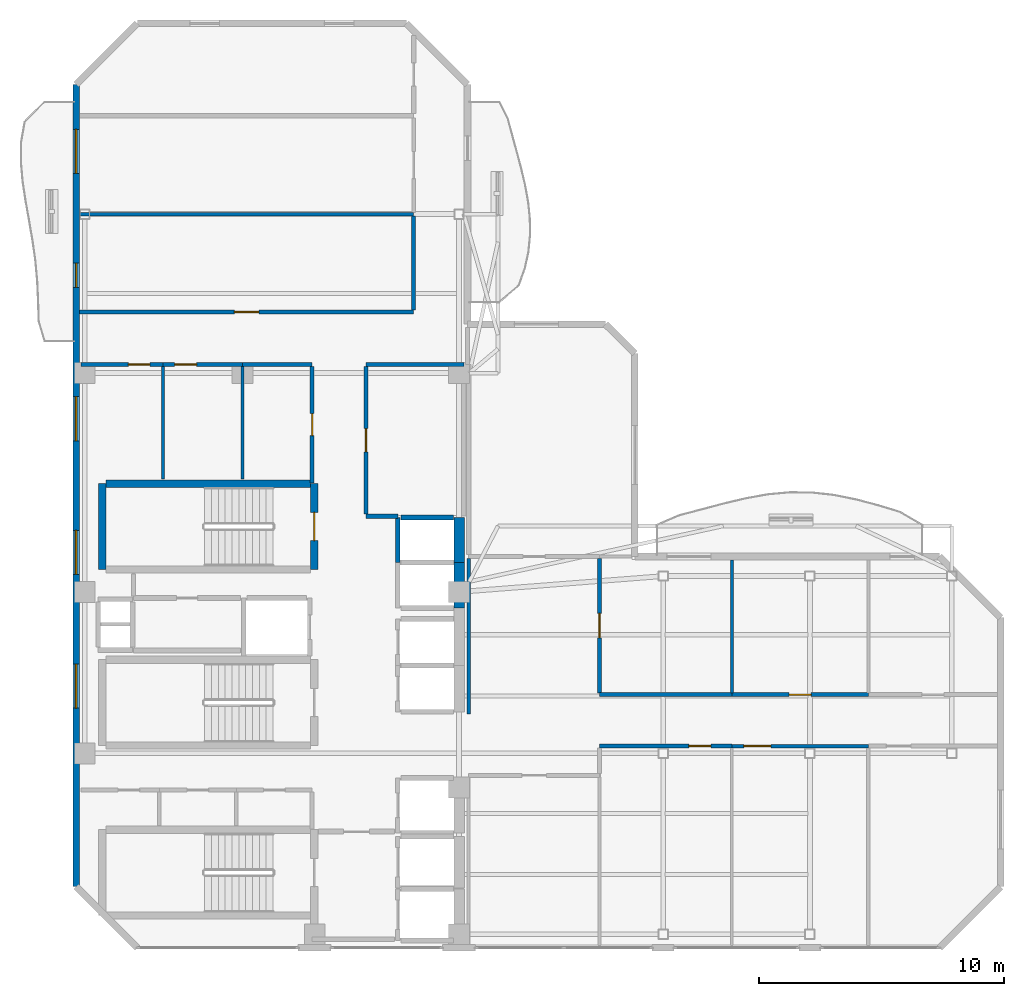
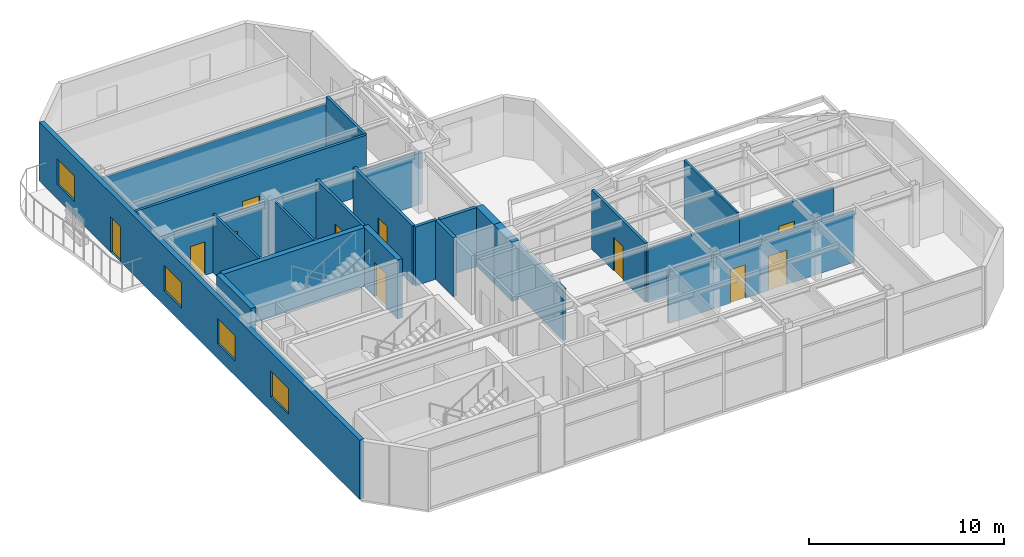
# One storey, part 10 of 14: 27 walls, 11 doors, 4 windows, 15 openings.
"""IFC4 building model written with IfcOpenShell, lengths in metres."""

from ifc_helpers import new_model, si_unit, direction, frame, frame_2d, origin, place, context, subcontext, project, spatial, rectangle, extrude, material, layer, layer_set, type_object, element, fill, save


model = new_model("IFC4")

# Units and contexts
model_context = context("Model", 3, precision=1e-05, world=origin(), true_north=direction((0.0, 1.0)))
body_context = subcontext(model_context, "Body", "Model", "MODEL_VIEW")
ifc_project = project(units=[si_unit("LENGTHUNIT", "METRE"), si_unit("AREAUNIT", "SQUARE_METRE"), si_unit("VOLUMEUNIT", "CUBIC_METRE"), si_unit("PLANEANGLEUNIT", "RADIAN"), si_unit("MASSUNIT", "GRAM", prefix="KILO")], contexts=[model_context])

# Site, building, storey
site_placement = place(None, origin())
site = spatial("IfcSite", under=ifc_project, at=site_placement, CompositionType="ELEMENT")
building_placement = place(site_placement, origin())
building = spatial("IfcBuilding", under=site, at=building_placement, Name="Mawjaban Terraces University", CompositionType="ELEMENT")
storey_placement = place(building_placement, frame((0.0, 0.0, 256.0)))
storey = spatial("IfcBuildingStorey", under=building, at=storey_placement, Name="L62", CompositionType="ELEMENT", Elevation=256.0)

# Walls
ifc_material_1 = material(Name="Acoustic masonry blockwork", Category="masonry")
ifc_layer_1 = layer(ifc_material_1, 0.179931640625)
ifc_layer_set_1 = layer_set([ifc_layer_1], Name="Acoustic masonry blockwork")
wall_type_1 = type_object("IfcWallType", Name="AcousticStudioWall_180", PredefinedType="PARTITIONING", material=ifc_layer_set_1)
wall_1_placement = place(storey_placement, frame((33.85009765625, 17.64990234375, 0.0), z_axis=(0.0, 0.0, 1.0), x_axis=(1.0, 0.0, 0.0)))
element("IfcWall", 1, at=wall_1_placement, inside=storey, type_object=wall_type_1, Name="L62 Graduate Research Collaboration Studio Partition 10", PredefinedType="PARTITIONING", context=body_context, shape_type="SweptSolid", body=[
    extrude(rectangle(XDim=1.2998046875, YDim=0.179931640625, at=frame_2d((0.64990234375, 0.0))), origin(), (0.0, 0.0, 1.0), 3.68994140625),
])
wall_2_placement = place(storey_placement, frame((37.85009765625, 23.85009765625, 0.0), z_axis=(0.0, 0.0, 1.0), x_axis=(-1.0, 0.0, 0.0)))
element("IfcWall", 2, at=wall_2_placement, inside=storey, type_object=wall_type_1, Name="L62 Graduate Research Collaboration Studio Partition 15", PredefinedType="PARTITIONING", context=body_context, shape_type="SweptSolid", body=[
    extrude(rectangle(XDim=4.0, YDim=0.179931640625, at=frame_2d((2.0, 0.0))), origin(), (0.0, 0.0, 1.0), 3.220947265625),
])

# Wall, opening, door
wall_3_placement = place(storey_placement, frame((33.85009765625, 17.735107421875, 0.0), z_axis=(0.0, 0.0, 1.0), x_axis=(0.0, 1.0, 0.0)))
wall_3 = element("IfcWall", 3, at=wall_3_placement, inside=storey, type_object=wall_type_1, Name="L62 Core North Lift Lobby Partition 32", PredefinedType="PARTITIONING", context=body_context, shape_type="SweptSolid", body=[
    extrude(rectangle(XDim=6.02978515625, YDim=0.179931640625, at=frame_2d((3.014892578125, 0.0))), origin(), (0.0, 0.0, 1.0), 3.68994140625),
])
opening_1_placement = place(wall_3_placement, frame((2.5400390625, 0.0, 0.0)))
opening_1 = element("IfcOpeningElement", 4, at=opening_1_placement, cuts=wall_3, Name="Opening ID-095", PredefinedType="OPENING", context=body_context, shape_type="SweptSolid", body=[
    extrude(rectangle(XDim=0.949951171875, YDim=2.10009765625, at=frame_2d((0.47509765625, 1.050048828125))), frame((0.0, 0.099853515625, 0.0), z_axis=(0.0, -1.0, 0.0), x_axis=(1.0, 0.0, 0.0)), (0.0, 0.0, 1.0), 0.199951171875),
])
ifc_material_2 = material(Name="Powder-coated steel frame and solid acoustic timber leaf", Category="steel")
door_type_1 = type_object("IfcDoorType", Name="StudioDoor_950x2100", OperationType="NOTDEFINED", PredefinedType="DOOR", material=ifc_material_2)
door_1_placement = place(opening_1_placement, origin())
door_1 = element("IfcDoor", 5, at=door_1_placement, inside=storey, type_object=door_type_1, Name="L62 Graduate Research Collaboration Studio Door", OperationType="SINGLE_SWING_RIGHT", OverallHeight=2.10009765625, OverallWidth=0.949951171875, PredefinedType="DOOR", context=body_context, shape_type="SweptSolid", body=[
    extrude(rectangle(XDim=0.949951171875, YDim=2.10009765625, at=frame_2d((0.47509765625, 1.050048828125))), frame((0.0, 0.02490234375, 0.0), z_axis=(0.0, -1.0, 0.0), x_axis=(1.0, 0.0, 0.0)), (0.0, 0.0, 1.0), 0.050048828125),
])
fill(opening_1, door_1)

# Walls
ifc_material_3 = material(Name="Concrete C50/60", Category="concrete")
ifc_layer_2 = layer(ifc_material_3, 0.419921875)
ifc_layer_set_2 = layer_set([ifc_layer_2], Name="Concrete C50/60")
wall_type_2 = type_object("IfcWallType", Name="CoreShearWall_420", PredefinedType="SHEAR", material=ifc_layer_set_2)
for number, where, z_axis, x_axis, name in (
    (6, (37.659912109375, 13.89990234375, 0.0), (0.0, 0.0, 1.0), (0.0, 1.0, 0.0), "L62 Lift OL-1 Hoistway Wall East"),
    (7, (37.659912109375, 15.75, 0.0), (0.0, 0.0, 1.0), (0.0, 1.0, 0.0), "L62 Lift OL-2 Hoistway Wall East"),
):
    element("IfcWall", number, at=place(storey_placement, frame(where, z_axis=z_axis, x_axis=x_axis)), inside=storey, type_object=wall_type_2, Name=name, PredefinedType="SHEAR", context=body_context, shape_type="SweptSolid", body=[
        extrude(rectangle(XDim=1.85009765625, YDim=0.419921875, at=frame_2d((0.925048828125, 0.0))), origin(), (0.0, 0.0, 1.0), 3.68994140625),
    ])

# Wall, opening, door
ifc_material_4 = material(Name="Fire-rated gypsum board on steel stud", Category="steel")
ifc_layer_3 = layer(ifc_material_4, 0.159912109375)
ifc_layer_set_3 = layer_set([ifc_layer_3], Name="Fire-rated gypsum board on steel stud")
wall_type_3 = type_object("IfcWallType", Name="CorridorPartition_160", PredefinedType="PARTITIONING", material=ifc_layer_set_3)
wall_4_placement = place(storey_placement, frame((25.550048828125, 23.85009765625, 0.0), z_axis=(0.0, 0.0, 1.0), x_axis=(-1.0, 0.0, 0.0)))
wall_4 = element("IfcWall", 8, at=wall_4_placement, inside=storey, type_object=wall_type_3, Name="L62 Ablution Room Partition 5", PredefinedType="PARTITIONING", context=body_context, shape_type="SweptSolid", body=[
    extrude(rectangle(XDim=3.35009765625, YDim=0.159912109375, at=frame_2d((1.675048828125, 0.0))), origin(), (0.0, 0.0, 1.0), 3.220947265625),
])
opening_2_placement = place(wall_4_placement, frame((0.534912109375, 0.0, 0.0)))
opening_2 = element("IfcOpeningElement", 9, at=opening_2_placement, cuts=wall_4, Name="Opening ID-088", PredefinedType="OPENING", context=body_context, shape_type="SweptSolid", body=[
    extrude(rectangle(XDim=0.8798828125, YDim=2.10009765625, at=frame_2d((0.43994140625, 1.050048828125))), frame((0.0, 0.08984375, 0.0), z_axis=(0.0, -1.0, 0.0), x_axis=(1.0, 0.0, 0.0)), (0.0, 0.0, 1.0), 0.179931640625),
])
door_type_2 = type_object("IfcDoorType", Name="ToiletDoor_880x2100", OperationType="NOTDEFINED", PredefinedType="DOOR", material=ifc_material_2)
door_2_placement = place(opening_2_placement, origin())
door_2 = element("IfcDoor", 10, at=door_2_placement, inside=storey, type_object=door_type_2, Name="L62 Ablution Room Door", OperationType="SINGLE_SWING_RIGHT", OverallHeight=2.10009765625, OverallWidth=0.8798828125, PredefinedType="DOOR", context=body_context, shape_type="SweptSolid", body=[
    extrude(rectangle(XDim=0.8798828125, YDim=2.10009765625, at=frame_2d((0.43994140625, 1.050048828125))), frame((0.0, 0.02490234375, 0.0), z_axis=(0.0, -1.0, 0.0), x_axis=(1.0, 0.0, 0.0)), (0.0, 0.0, 1.0), 0.050048828125),
])
fill(opening_2, door_2)

wall_5_placement = place(storey_placement, frame((28.800048828125, 23.85009765625, 0.0), z_axis=(0.0, 0.0, 1.0), x_axis=(-1.0, 0.0, 0.0)))
wall_5 = element("IfcWall", 11, at=wall_5_placement, inside=storey, type_object=wall_type_3, Name="L62 Cleaner Store Partition 7", PredefinedType="PARTITIONING", context=body_context, shape_type="SweptSolid", body=[
    extrude(rectangle(XDim=3.25, YDim=0.159912109375, at=frame_2d((1.625, 0.0))), origin(), (0.0, 0.0, 1.0), 3.220947265625),
])
opening_3_placement = place(wall_5_placement, frame((1.875, 0.0, 0.0)))
opening_3 = element("IfcOpeningElement", 12, at=opening_3_placement, cuts=wall_5, Name="Opening ID-090", PredefinedType="OPENING", context=body_context, shape_type="SweptSolid", body=[
    extrude(rectangle(XDim=0.89990234375, YDim=2.10009765625, at=frame_2d((0.449951171875, 1.050048828125))), frame((0.0, 0.08984375, 0.0), z_axis=(0.0, -1.0, 0.0), x_axis=(1.0, 0.0, 0.0)), (0.0, 0.0, 1.0), 0.179931640625),
])
door_type_3 = type_object("IfcDoorType", Name="OfficeDoor_900x2100", OperationType="NOTDEFINED", PredefinedType="DOOR", material=ifc_material_2)
door_3_placement = place(opening_3_placement, origin())
door_3 = element("IfcDoor", 13, at=door_3_placement, inside=storey, type_object=door_type_3, Name="L62 Cleaner Store Door", OperationType="SINGLE_SWING_LEFT", OverallHeight=2.10009765625, OverallWidth=0.89990234375, PredefinedType="DOOR", context=body_context, shape_type="SweptSolid", body=[
    extrude(rectangle(XDim=0.89990234375, YDim=2.10009765625, at=frame_2d((0.449951171875, 1.050048828125))), frame((0.0, 0.02490234375, 0.0), z_axis=(0.0, -1.0, 0.0), x_axis=(1.0, 0.0, 0.0)), (0.0, 0.0, 1.0), 0.050048828125),
])
fill(opening_3, door_3)

# Wall
wall_6_placement = place(storey_placement, frame((31.64990234375, 23.85009765625, 0.0), z_axis=(0.0, 0.0, 1.0), x_axis=(-1.0, 0.0, 0.0)))
element("IfcWall", 14, at=wall_6_placement, inside=storey, type_object=wall_type_3, Name="L62 Faculty Academic Resource Office Partition 9", PredefinedType="PARTITIONING", context=body_context, shape_type="SweptSolid", body=[
    extrude(rectangle(XDim=2.849853515625, YDim=0.159912109375, at=frame_2d((1.4248046875, 0.0))), origin(), (0.0, 0.0, 1.0), 3.220947265625),
])

# Wall, opening, door
wall_7_placement = place(storey_placement, frame((35.800048828125, 26.0, 0.0), z_axis=(0.0, 0.0, 1.0), x_axis=(-1.0, 0.0, 0.0)))
wall_7 = element("IfcWall", 15, at=wall_7_placement, inside=storey, type_object=wall_type_3, Name="L62 North Core Cross-Corridor Partition 12", PredefinedType="PARTITIONING", context=body_context, shape_type="SweptSolid", body=[
    extrude(rectangle(XDim=13.6669921875, YDim=0.159912109375, at=frame_2d((6.83349609375, 0.0))), origin(), (0.0, 0.0, 1.0), 3.68994140625),
])
opening_4_placement = place(wall_7_placement, frame((6.3330078125, 0.0, 0.0)))
opening_4 = element("IfcOpeningElement", 16, at=opening_4_placement, cuts=wall_7, Name="Opening ID-100", PredefinedType="OPENING", context=body_context, shape_type="SweptSolid", body=[
    extrude(rectangle(XDim=1.0, YDim=2.10009765625, at=frame_2d((0.5, 1.050048828125))), frame((0.0, 0.08984375, 0.0), z_axis=(0.0, -1.0, 0.0), x_axis=(1.0, 0.0, 0.0)), (0.0, 0.0, 1.0), 0.179931640625),
])
door_type_4 = type_object("IfcDoorType", Name="ClassroomDoor_1000x2100", OperationType="NOTDEFINED", PredefinedType="DOOR", material=ifc_material_2)
door_4_placement = place(opening_4_placement, origin())
door_4 = element("IfcDoor", 17, at=door_4_placement, inside=storey, type_object=door_type_4, Name="L62 Classroom 8 Door", OperationType="SINGLE_SWING_LEFT", OverallHeight=2.10009765625, OverallWidth=1.0, PredefinedType="DOOR", context=body_context, shape_type="SweptSolid", body=[
    extrude(rectangle(XDim=1.0, YDim=2.10009765625, at=frame_2d((0.5, 1.050048828125))), frame((0.0, 0.02490234375, 0.0), z_axis=(0.0, -1.0, 0.0), x_axis=(1.0, 0.0, 0.0)), (0.0, 0.0, 1.0), 0.050048828125),
])
fill(opening_4, door_4)

wall_8_placement = place(storey_placement, frame((43.39990234375, 8.25, 0.0), z_axis=(0.0, 0.0, 1.0), x_axis=(1.0, 0.0, 0.0)))
wall_8 = element("IfcWall", 18, at=wall_8_placement, inside=storey, type_object=wall_type_3, Name="L62 Upper East Research Corridor Partition 17", PredefinedType="PARTITIONING", context=body_context, shape_type="SweptSolid", body=[
    extrude(rectangle(XDim=5.41015625, YDim=0.159912109375, at=frame_2d((2.705078125, 0.0))), origin(), (0.0, 0.0, 1.0), 3.220947265625),
])
opening_5_placement = place(wall_8_placement, frame((3.655029296875, 0.0, 0.0)))
opening_5 = element("IfcOpeningElement", 19, at=opening_5_placement, cuts=wall_8, Name="Opening ID-090", PredefinedType="OPENING", context=body_context, shape_type="SweptSolid", body=[
    extrude(rectangle(XDim=0.89990234375, YDim=2.10009765625, at=frame_2d((0.449951171875, 1.050048828125))), frame((0.0, 0.08984375, 0.0), z_axis=(0.0, -1.0, 0.0), x_axis=(1.0, 0.0, 0.0)), (0.0, 0.0, 1.0), 0.179931640625),
])
door_5_placement = place(opening_5_placement, origin())
door_5 = element("IfcDoor", 20, at=door_5_placement, inside=storey, type_object=door_type_3, Name="L62 Seminar Room 2 Door", OperationType="SINGLE_SWING_LEFT", OverallHeight=2.10009765625, OverallWidth=0.89990234375, PredefinedType="DOOR", context=body_context, shape_type="SweptSolid", body=[
    extrude(rectangle(XDim=0.89990234375, YDim=2.10009765625, at=frame_2d((0.449951171875, 1.050048828125))), frame((0.0, 0.02490234375, 0.0), z_axis=(0.0, -1.0, 0.0), x_axis=(1.0, 0.0, 0.0)), (0.0, 0.0, 1.0), 0.050048828125),
])
fill(opening_5, door_5)

# Wall
wall_9_placement = place(storey_placement, frame((48.81005859375, 10.35009765625, 0.0), z_axis=(0.0, 0.0, 1.0), x_axis=(-1.0, 0.0, 0.0)))
element("IfcWall", 21, at=wall_9_placement, inside=storey, type_object=wall_type_3, Name="L62 Upper East Research Corridor Partition 21", PredefinedType="PARTITIONING", context=body_context, shape_type="SweptSolid", body=[
    extrude(rectangle(XDim=5.41015625, YDim=0.159912109375, at=frame_2d((2.705078125, 0.0))), origin(), (0.0, 0.0, 1.0), 3.3720703125),
])

# Wall, opening, door
wall_10_placement = place(storey_placement, frame((54.389892578125, 10.35009765625, 0.0), z_axis=(0.0, 0.0, 1.0), x_axis=(-1.0, 0.0, 0.0)))
wall_10 = element("IfcWall", 22, at=wall_10_placement, inside=storey, type_object=wall_type_3, Name="L62 Upper East Research Corridor Partition 23", PredefinedType="PARTITIONING", context=body_context, shape_type="SweptSolid", body=[
    extrude(rectangle(XDim=5.579833984375, YDim=0.159912109375, at=frame_2d((2.7900390625, 0.0))), origin(), (0.0, 0.0, 1.0), 3.3720703125),
])
opening_6_placement = place(wall_10_placement, frame((2.340087890625, 0.0, 0.0)))
opening_6 = element("IfcOpeningElement", 23, at=opening_6_placement, cuts=wall_10, Name="Opening ID-090", PredefinedType="OPENING", context=body_context, shape_type="SweptSolid", body=[
    extrude(rectangle(XDim=0.89990234375, YDim=2.10009765625, at=frame_2d((0.449951171875, 1.050048828125))), frame((0.0, 0.08984375, 0.0), z_axis=(0.0, -1.0, 0.0), x_axis=(1.0, 0.0, 0.0)), (0.0, 0.0, 1.0), 0.179931640625),
])
door_6_placement = place(opening_6_placement, origin())
door_6 = element("IfcDoor", 24, at=door_6_placement, inside=storey, type_object=door_type_3, Name="L62 Seminar Room 5 Door", OperationType="SINGLE_SWING_RIGHT", OverallHeight=2.10009765625, OverallWidth=0.89990234375, PredefinedType="DOOR", context=body_context, shape_type="SweptSolid", body=[
    extrude(rectangle(XDim=0.89990234375, YDim=2.10009765625, at=frame_2d((0.449951171875, 1.050048828125))), frame((0.0, 0.02490234375, 0.0), z_axis=(0.0, -1.0, 0.0), x_axis=(1.0, 0.0, 0.0)), (0.0, 0.0, 1.0), 0.050048828125),
])
fill(opening_6, door_6)

wall_11_placement = place(storey_placement, frame((31.64990234375, 19.010009765625, 0.0), z_axis=(0.0, 0.0, 1.0), x_axis=(0.0, 1.0, 0.0)))
wall_11 = element("IfcWall", 25, at=wall_11_placement, inside=storey, type_object=wall_type_3, Name="L62 Faculty Academic Resource Office Partition 31", PredefinedType="PARTITIONING", context=body_context, shape_type="SweptSolid", body=[
    extrude(rectangle(XDim=4.764892578125, YDim=0.159912109375, at=frame_2d((2.38232421875, 0.0))), origin(), (0.0, 0.0, 1.0), 3.68994140625),
])
opening_7_placement = place(wall_11_placement, frame((1.931884765625, 0.0, 0.0)))
opening_7 = element("IfcOpeningElement", 26, at=opening_7_placement, cuts=wall_11, Name="Opening ID-090", PredefinedType="OPENING", context=body_context, shape_type="SweptSolid", body=[
    extrude(rectangle(XDim=0.89990234375, YDim=2.10009765625, at=frame_2d((0.449951171875, 1.050048828125))), frame((0.0, 0.08984375, 0.0), z_axis=(0.0, -1.0, 0.0), x_axis=(1.0, 0.0, 0.0)), (0.0, 0.0, 1.0), 0.179931640625),
])
door_7_placement = place(opening_7_placement, origin())
door_7 = element("IfcDoor", 27, at=door_7_placement, inside=storey, type_object=door_type_3, Name="L62 Faculty Academic Resource Office Door", OperationType="SINGLE_SWING_LEFT", OverallHeight=2.10009765625, OverallWidth=0.89990234375, PredefinedType="DOOR", context=body_context, shape_type="SweptSolid", body=[
    extrude(rectangle(XDim=0.89990234375, YDim=2.10009765625, at=frame_2d((0.449951171875, 1.050048828125))), frame((0.0, 0.02490234375, 0.0), z_axis=(0.0, -1.0, 0.0), x_axis=(1.0, 0.0, 0.0)), (0.0, 0.0, 1.0), 0.050048828125),
])
fill(opening_7, door_7)

# Walls
wall_12_placement = place(storey_placement, frame((35.800048828125, 29.93310546875, 0.0), z_axis=(0.0, 0.0, 1.0), x_axis=(0.0, -1.0, 0.0)))
element("IfcWall", 28, at=wall_12_placement, inside=storey, type_object=wall_type_3, Name="L62 Upper North Research Gallery Partition 33", PredefinedType="PARTITIONING", context=body_context, shape_type="SweptSolid", body=[
    extrude(rectangle(XDim=3.858154296875, YDim=0.159912109375, at=frame_2d((1.92919921875, 0.0))), origin(), (0.0, 0.0, 1.0), 3.68994140625),
])
wall_13_placement = place(storey_placement, frame((38.050048828125, 15.925048828125, 0.0), z_axis=(0.0, 0.0, 1.0), x_axis=(0.0, -1.0, 0.0)))
element("IfcWall", 29, at=wall_13_placement, inside=storey, type_object=wall_type_3, Name="L62 Upper Research Hub Concourse Partition 39", PredefinedType="PARTITIONING", context=body_context, shape_type="SweptSolid", body=[
    extrude(rectangle(XDim=6.375, YDim=0.159912109375, at=frame_2d((3.1875, 0.0))), origin(), (0.0, 0.0, 1.0), 3.220947265625),
])

# Wall, opening, door
wall_14_placement = place(storey_placement, frame((43.39990234375, 10.425048828125, 0.0), z_axis=(0.0, 0.0, 1.0), x_axis=(0.0, 1.0, 0.0)))
wall_14 = element("IfcWall", 30, at=wall_14_placement, inside=storey, type_object=wall_type_3, Name="L62 Upper Research Hub Concourse Partition 43", PredefinedType="PARTITIONING", context=body_context, shape_type="SweptSolid", body=[
    extrude(rectangle(XDim=5.5, YDim=0.159912109375, at=frame_2d((2.75, 0.0))), origin(), (0.0, 0.0, 1.0), 3.68994140625),
])
opening_8_placement = place(wall_14_placement, frame((2.25, 0.0, 0.0)))
opening_8 = element("IfcOpeningElement", 31, at=opening_8_placement, cuts=wall_14, Name="Opening ID-100", PredefinedType="OPENING", context=body_context, shape_type="SweptSolid", body=[
    extrude(rectangle(XDim=1.0, YDim=2.10009765625, at=frame_2d((0.5, 1.050048828125))), frame((0.0, 0.08984375, 0.0), z_axis=(0.0, -1.0, 0.0), x_axis=(1.0, 0.0, 0.0)), (0.0, 0.0, 1.0), 0.179931640625),
])
door_8_placement = place(opening_8_placement, origin())
door_8 = element("IfcDoor", 32, at=door_8_placement, inside=storey, type_object=door_type_4, Name="L62 Classroom 3 Door", OperationType="SINGLE_SWING_RIGHT", OverallHeight=2.10009765625, OverallWidth=1.0, PredefinedType="DOOR", context=body_context, shape_type="SweptSolid", body=[
    extrude(rectangle(XDim=1.0, YDim=2.10009765625, at=frame_2d((0.5, 1.050048828125))), frame((0.0, 0.02490234375, 0.0), z_axis=(0.0, -1.0, 0.0), x_axis=(1.0, 0.0, 0.0)), (0.0, 0.0, 1.0), 0.050048828125),
])
fill(opening_8, door_8)

# Wall, openings, door, windows
ifc_material_5 = material(Name="Insulated terracotta rainscreen on concrete backup C40/50", Category="masonry")
ifc_layer_4 = layer(ifc_material_5, 0.27490234375)
ifc_layer_set_4 = layer_set([ifc_layer_4], Name="Insulated terracotta rainscreen on concrete backup C40/50")
wall_type_4 = type_object("IfcWallType", Name="ExtTerracottaWall_275", PredefinedType="SOLIDWALL", material=ifc_layer_set_4)
wall_15_placement = place(storey_placement, frame((22.0, 35.300048828125, 0.0), z_axis=(0.0, 0.0, 1.0), x_axis=(0.0, -1.0, 0.0)))
wall_15 = element("IfcWall", 33, at=wall_15_placement, inside=storey, type_object=wall_type_4, Name="L62 Exterior Terracotta Wall 13", PredefinedType="SOLIDWALL", context=body_context, shape_type="SweptSolid", body=[
    extrude(rectangle(XDim=32.800048828125, YDim=0.27490234375, at=frame_2d((16.39990234375, 0.0))), origin(), (0.0, 0.0, 1.0), 3.68994140625),
])
opening_9_placement = place(wall_15_placement, frame((7.300048828125, 0.0, 0.0)))
opening_9 = element("IfcOpeningElement", 34, at=opening_9_placement, cuts=wall_15, Name="Opening BD-100", PredefinedType="OPENING", context=body_context, shape_type="SweptSolid", body=[
    extrude(rectangle(XDim=1.0, YDim=2.199951171875, at=frame_2d((0.5, 1.10009765625))), frame((0.0, 0.1474609375, 0.0), z_axis=(0.0, -1.0, 0.0), x_axis=(1.0, 0.0, 0.0)), (0.0, 0.0, 1.0), 0.294921875),
])
opening_10_placement = place(wall_15_placement, frame((1.8330078125, 0.0, 0.89990234375)))
opening_10 = element("IfcOpeningElement", 35, at=opening_10_placement, cuts=wall_15, Name="Opening W-03", PredefinedType="OPENING", context=body_context, shape_type="SweptSolid", body=[
    extrude(rectangle(XDim=1.800048828125, YDim=1.60009765625, at=frame_2d((0.89990234375, 0.800048828125))), frame((0.0, 0.1474609375, 0.0), z_axis=(0.0, -1.0, 0.0), x_axis=(1.0, 0.0, 0.0)), (0.0, 0.0, 1.0), 0.294921875),
])
opening_11_placement = place(wall_15_placement, frame((12.76708984375, 0.0, 0.89990234375)))
opening_11 = element("IfcOpeningElement", 36, at=opening_11_placement, cuts=wall_15, Name="Opening W-03", PredefinedType="OPENING", context=body_context, shape_type="SweptSolid", body=[
    extrude(rectangle(XDim=1.800048828125, YDim=1.60009765625, at=frame_2d((0.89990234375, 0.800048828125))), frame((0.0, 0.1474609375, 0.0), z_axis=(0.0, -1.0, 0.0), x_axis=(1.0, 0.0, 0.0)), (0.0, 0.0, 1.0), 0.294921875),
])
opening_12_placement = place(wall_15_placement, frame((18.23291015625, 0.0, 0.89990234375)))
opening_12 = element("IfcOpeningElement", 37, at=opening_12_placement, cuts=wall_15, Name="Opening W-03", PredefinedType="OPENING", context=body_context, shape_type="SweptSolid", body=[
    extrude(rectangle(XDim=1.800048828125, YDim=1.60009765625, at=frame_2d((0.89990234375, 0.800048828125))), frame((0.0, 0.1474609375, 0.0), z_axis=(0.0, -1.0, 0.0), x_axis=(1.0, 0.0, 0.0)), (0.0, 0.0, 1.0), 0.294921875),
])
opening_13_placement = place(wall_15_placement, frame((23.699951171875, 0.0, 0.89990234375)))
opening_13 = element("IfcOpeningElement", 38, at=opening_13_placement, cuts=wall_15, Name="Opening W-03", PredefinedType="OPENING", context=body_context, shape_type="SweptSolid", body=[
    extrude(rectangle(XDim=1.800048828125, YDim=1.60009765625, at=frame_2d((0.89990234375, 0.800048828125))), frame((0.0, 0.1474609375, 0.0), z_axis=(0.0, -1.0, 0.0), x_axis=(1.0, 0.0, 0.0)), (0.0, 0.0, 1.0), 0.294921875),
])
ifc_material_6 = material(Name="Thermally broken anodised aluminium and laminated safety glass", Category="aluminium")
door_type_5 = type_object("IfcDoorType", Name="BalconyGlazedDoor_1000x2200", OperationType="NOTDEFINED", PredefinedType="DOOR", material=ifc_material_6)
door_9_placement = place(opening_9_placement, origin())
door_9 = element("IfcDoor", 39, at=door_9_placement, inside=storey, type_object=door_type_5, Name="L62 Balcony Access Door west", OperationType="SINGLE_SWING_LEFT", OverallHeight=2.199951171875, OverallWidth=1.0, PredefinedType="DOOR", context=body_context, shape_type="SweptSolid", body=[
    extrude(rectangle(XDim=1.0, YDim=2.199951171875, at=frame_2d((0.5, 1.10009765625))), frame((0.0, 0.02490234375, 0.0), z_axis=(0.0, -1.0, 0.0), x_axis=(1.0, 0.0, 0.0)), (0.0, 0.0, 1.0), 0.050048828125),
])
fill(opening_9, door_9)
ifc_material_7 = material(Name="Low-E solar-control double glazing in thermally broken aluminium frame", Category="aluminium")
window_type = type_object("IfcWindowType", Name="Win_1800x1600", PartitioningType="SINGLE_PANEL", PredefinedType="WINDOW", material=ifc_material_7)
window_1_placement = place(opening_10_placement, origin())
window_1 = element("IfcWindow", 40, at=window_1_placement, inside=storey, type_object=window_type, Name="L62 Facade Window 13.1", OverallHeight=1.60009765625, OverallWidth=1.800048828125, PartitioningType="SINGLE_PANEL", PredefinedType="WINDOW", context=body_context, shape_type="SweptSolid", body=[
    extrude(rectangle(XDim=1.800048828125, YDim=1.60009765625, at=frame_2d((0.89990234375, 0.800048828125))), frame((0.0, 0.030029296875, 0.0), z_axis=(0.0, -1.0, 0.0), x_axis=(1.0, 0.0, 0.0)), (0.0, 0.0, 1.0), 0.06005859375),
])
fill(opening_10, window_1)
window_2_placement = place(opening_11_placement, origin())
window_2 = element("IfcWindow", 41, at=window_2_placement, inside=storey, type_object=window_type, Name="L62 Facade Window 13.3", OverallHeight=1.60009765625, OverallWidth=1.800048828125, PartitioningType="SINGLE_PANEL", PredefinedType="WINDOW", context=body_context, shape_type="SweptSolid", body=[
    extrude(rectangle(XDim=1.800048828125, YDim=1.60009765625, at=frame_2d((0.89990234375, 0.800048828125))), frame((0.0, 0.030029296875, 0.0), z_axis=(0.0, -1.0, 0.0), x_axis=(1.0, 0.0, 0.0)), (0.0, 0.0, 1.0), 0.06005859375),
])
fill(opening_11, window_2)
window_3_placement = place(opening_12_placement, origin())
window_3 = element("IfcWindow", 42, at=window_3_placement, inside=storey, type_object=window_type, Name="L62 Facade Window 13.4", OverallHeight=1.60009765625, OverallWidth=1.800048828125, PartitioningType="SINGLE_PANEL", PredefinedType="WINDOW", context=body_context, shape_type="SweptSolid", body=[
    extrude(rectangle(XDim=1.800048828125, YDim=1.60009765625, at=frame_2d((0.89990234375, 0.800048828125))), frame((0.0, 0.030029296875, 0.0), z_axis=(0.0, -1.0, 0.0), x_axis=(1.0, 0.0, 0.0)), (0.0, 0.0, 1.0), 0.06005859375),
])
fill(opening_12, window_3)
window_4_placement = place(opening_13_placement, origin())
window_4 = element("IfcWindow", 43, at=window_4_placement, inside=storey, type_object=window_type, Name="L62 Facade Window 13.5", OverallHeight=1.60009765625, OverallWidth=1.800048828125, PartitioningType="SINGLE_PANEL", PredefinedType="WINDOW", context=body_context, shape_type="SweptSolid", body=[
    extrude(rectangle(XDim=1.800048828125, YDim=1.60009765625, at=frame_2d((0.89990234375, 0.800048828125))), frame((0.0, 0.030029296875, 0.0), z_axis=(0.0, -1.0, 0.0), x_axis=(1.0, 0.0, 0.0)), (0.0, 0.0, 1.0), 0.06005859375),
])
fill(opening_13, window_4)

# Walls
ifc_material_8 = material(Name="Concrete C40/50", Category="concrete")
ifc_layer_5 = layer(ifc_material_8, 0.199951171875)
ifc_layer_set_5 = layer_set([ifc_layer_5], Name="Concrete C40/50")
wall_type_5 = type_object("IfcWallType", Name="FireLobbyWall_200", PredefinedType="SOLIDWALL", material=ifc_layer_set_5)
wall_16_placement = place(storey_placement, frame((35.14990234375, 17.60009765625, 0.0), z_axis=(0.0, 0.0, 1.0), x_axis=(0.0, -1.0, 0.0)))
element("IfcWall", 44, at=wall_16_placement, inside=storey, type_object=wall_type_5, Name="L62 Lift OL-2 Hoistway Wall West", PredefinedType="SOLIDWALL", context=body_context, shape_type="SweptSolid", body=[
    extrude(rectangle(XDim=1.85009765625, YDim=0.199951171875, at=frame_2d((0.925048828125, 0.0))), origin(), (0.0, 0.0, 1.0), 3.68994140625),
])
wall_17_placement = place(storey_placement, frame((37.419921875, 17.60009765625, 0.0), z_axis=(0.0, 0.0, 1.0), x_axis=(-1.0, 0.0, 0.0)))
element("IfcWall", 45, at=wall_17_placement, inside=storey, type_object=wall_type_5, Name="L62 Lift OL-2 Hoistway Wall North", PredefinedType="SOLIDWALL", context=body_context, shape_type="SweptSolid", body=[
    extrude(rectangle(XDim=2.139892578125, YDim=0.199951171875, at=frame_2d((1.06982421875, 0.0))), origin(), (0.0, 0.0, 1.0), 3.68994140625),
])
ifc_material_9 = material(Name="Moisture-resistant gypsum board on steel stud", Category="steel")
ifc_layer_6 = layer(ifc_material_9, 0.14501953125)
ifc_layer_set_6 = layer_set([ifc_layer_6], Name="Moisture-resistant gypsum board on steel stud")
wall_type_6 = type_object("IfcWallType", Name="LabPartition_145", PredefinedType="PARTITIONING", material=ifc_layer_set_6)
wall_18_placement = place(storey_placement, frame((35.800048828125, 30.0, 0.0), z_axis=(0.0, 0.0, 1.0), x_axis=(-1.0, 0.0, 0.0)))
element("IfcWall", 46, at=wall_18_placement, inside=storey, type_object=wall_type_6, Name="L62 Classroom 8 Partition 13", PredefinedType="PARTITIONING", context=body_context, shape_type="SweptSolid", body=[
    extrude(rectangle(XDim=13.6669921875, YDim=0.14501953125, at=frame_2d((6.83349609375, 0.0))), origin(), (0.0, 0.0, 1.0), 3.220947265625),
])

# Wall, opening, door
wall_19_placement = place(storey_placement, frame((48.81005859375, 8.25, 0.0), z_axis=(0.0, 0.0, 1.0), x_axis=(1.0, 0.0, 0.0)))
wall_19 = element("IfcWall", 47, at=wall_19_placement, inside=storey, type_object=wall_type_6, Name="L62 Upper East Research Corridor Partition 20", PredefinedType="PARTITIONING", context=body_context, shape_type="SweptSolid", body=[
    extrude(rectangle(XDim=5.579833984375, YDim=0.14501953125, at=frame_2d((2.7900390625, 0.0))), origin(), (0.0, 0.0, 1.0), 3.220947265625),
])
opening_14_placement = place(wall_19_placement, frame((0.489990234375, 0.0, 0.0)))
opening_14 = element("IfcOpeningElement", 48, at=opening_14_placement, cuts=wall_19, Name="Opening ID-110", PredefinedType="OPENING", context=body_context, shape_type="SweptSolid", body=[
    extrude(rectangle(XDim=1.10009765625, YDim=2.14990234375, at=frame_2d((0.550048828125, 1.074951171875))), frame((0.0, 0.08251953125, 0.0), z_axis=(0.0, -1.0, 0.0), x_axis=(1.0, 0.0, 0.0)), (0.0, 0.0, 1.0), 0.1650390625),
])
door_type_6 = type_object("IfcDoorType", Name="LabDoor_1100x2150", OperationType="NOTDEFINED", PredefinedType="DOOR", material=ifc_material_2)
door_10_placement = place(opening_14_placement, origin())
door_10 = element("IfcDoor", 49, at=door_10_placement, inside=storey, type_object=door_type_6, Name="L62 Teaching Laboratory 4 Door", OperationType="SINGLE_SWING_LEFT", OverallHeight=2.14990234375, OverallWidth=1.10009765625, PredefinedType="DOOR", context=body_context, shape_type="SweptSolid", body=[
    extrude(rectangle(XDim=1.10009765625, YDim=2.14990234375, at=frame_2d((0.550048828125, 1.074951171875))), frame((0.0, 0.02490234375, 0.0), z_axis=(0.0, -1.0, 0.0), x_axis=(1.0, 0.0, 0.0)), (0.0, 0.0, 1.0), 0.050048828125),
])
fill(opening_14, door_10)

# Walls
ifc_material_10 = material(Name="Gypsum plasterboard on steel stud", Category="steel")
ifc_layer_7 = layer(ifc_material_10, 0.125)
ifc_layer_set_7 = layer_set([ifc_layer_7], Name="Gypsum plasterboard on steel stud")
wall_type_7 = type_object("IfcWallType", Name="OfficePartition_125", PredefinedType="PARTITIONING", material=ifc_layer_set_7)
wall_20_placement = place(storey_placement, frame((28.800048828125, 23.77490234375, 0.0), z_axis=(0.0, 0.0, 1.0), x_axis=(0.0, -1.0, 0.0)))
element("IfcWall", 50, at=wall_20_placement, inside=storey, type_object=wall_type_7, Name="L62 Faculty Academic Resource Office Partition 29", PredefinedType="PARTITIONING", context=body_context, shape_type="SweptSolid", body=[
    extrude(rectangle(XDim=4.614990234375, YDim=0.125, at=frame_2d((2.3076171875, 0.0))), origin(), (0.0, 0.0, 1.0), 3.68994140625),
])
wall_21_placement = place(storey_placement, frame((48.81005859375, 10.425048828125, 0.0), z_axis=(0.0, 0.0, 1.0), x_axis=(0.0, 1.0, 0.0)))
element("IfcWall", 51, at=wall_21_placement, inside=storey, type_object=wall_type_7, Name="L62 Classroom 3 Partition 45", PredefinedType="PARTITIONING", context=body_context, shape_type="SweptSolid", body=[
    extrude(rectangle(XDim=5.44189453125, YDim=0.125, at=frame_2d((2.720947265625, 0.0))), origin(), (0.0, 0.0, 1.0), 3.68994140625),
])
ifc_material_11 = material(Name="Concrete C60/75", Category="concrete")
ifc_layer_8 = layer(ifc_material_11, 0.300048828125)
ifc_layer_set_8 = layer_set([ifc_layer_8], Name="Concrete C60/75")
wall_type_8 = type_object("IfcWallType", Name="StairShaftWall_300", PredefinedType="SHEAR", material=ifc_layer_set_8)
wall_22_placement = place(storey_placement, frame((31.580078125, 18.97998046875, 0.0), z_axis=(0.0, 0.0, 1.0), x_axis=(-1.0, 0.0, 0.0)))
element("IfcWall", 52, at=wall_22_placement, inside=storey, type_object=wall_type_8, Name="L62 ST-2 Stair Shaft Wall 1", PredefinedType="SHEAR", context=body_context, shape_type="SweptSolid", body=[
    extrude(rectangle(XDim=8.360107421875, YDim=0.300048828125, at=frame_2d((4.18017578125, 0.0))), origin(), (0.0, 0.0, 1.0), 3.68994140625),
])
wall_23_placement = place(storey_placement, frame((23.070068359375, 18.97998046875, 0.0), z_axis=(0.0, 0.0, 1.0), x_axis=(0.0, -1.0, 0.0)))
element("IfcWall", 53, at=wall_23_placement, inside=storey, type_object=wall_type_8, Name="L62 ST-2 Stair Shaft Wall 2", PredefinedType="SHEAR", context=body_context, shape_type="SweptSolid", body=[
    extrude(rectangle(XDim=3.510009765625, YDim=0.300048828125, at=frame_2d((1.7548828125, 0.0))), origin(), (0.0, 0.0, 1.0), 3.68994140625),
])

# Wall, opening, door
wall_24_placement = place(storey_placement, frame((31.72998046875, 15.469970703125, 0.0), z_axis=(0.0, 0.0, 1.0), x_axis=(0.0, 1.0, 0.0)))
wall_24 = element("IfcWall", 54, at=wall_24_placement, inside=storey, type_object=wall_type_8, Name="L62 ST-2 Stair Shaft Wall 4", PredefinedType="SHEAR", context=body_context, shape_type="SweptSolid", body=[
    extrude(rectangle(XDim=3.510009765625, YDim=0.300048828125, at=frame_2d((1.7548828125, 0.0))), origin(), (0.0, 0.0, 1.0), 3.68994140625),
])
opening_15_placement = place(wall_24_placement, frame((1.179931640625, 0.0, 0.0)))
opening_15 = element("IfcOpeningElement", 55, at=opening_15_placement, cuts=wall_24, Name="Opening FD-115", PredefinedType="OPENING", context=body_context, shape_type="SweptSolid", body=[
    extrude(rectangle(XDim=1.14990234375, YDim=2.14990234375, at=frame_2d((0.574951171875, 1.074951171875))), frame((0.0, 0.159912109375, 0.0), z_axis=(0.0, -1.0, 0.0), x_axis=(1.0, 0.0, 0.0)), (0.0, 0.0, 1.0), 0.320068359375),
])
ifc_material_12 = material(Name="Powder-coated steel frame and fire-rated steel-faced leaf", Category="steel")
door_type_7 = type_object("IfcDoorType", Name="FireStairDoor_1150x2150", OperationType="NOTDEFINED", PredefinedType="DOOR", material=ifc_material_12)
door_11_placement = place(opening_15_placement, origin())
door_11 = element("IfcDoor", 56, at=door_11_placement, inside=storey, type_object=door_type_7, Name="L62 ST-2 Pressurised Stair Fire Door", OperationType="SINGLE_SWING_LEFT", OverallHeight=2.14990234375, OverallWidth=1.14990234375, PredefinedType="DOOR", context=body_context, shape_type="SweptSolid", body=[
    extrude(rectangle(XDim=1.14990234375, YDim=2.14990234375, at=frame_2d((0.574951171875, 1.074951171875))), frame((0.0, 0.02490234375, 0.0), z_axis=(0.0, -1.0, 0.0), x_axis=(1.0, 0.0, 0.0)), (0.0, 0.0, 1.0), 0.050048828125),
])
fill(opening_15, door_11)

# Wall
ifc_material_13 = material(Name="Cement-board wet-room partition", Category="masonry")
ifc_layer_9 = layer(ifc_material_13, 0.135009765625)
ifc_layer_set_9 = layer_set([ifc_layer_9], Name="Cement-board wet-room partition")
wall_type_9 = type_object("IfcWallType", Name="WetRoomPartition_135", PredefinedType="PARTITIONING", material=ifc_layer_set_9)
wall_25_placement = place(storey_placement, frame((25.550048828125, 19.159912109375, 0.0), z_axis=(0.0, 0.0, 1.0), x_axis=(0.0, 1.0, 0.0)))
element("IfcWall", 57, at=wall_25_placement, inside=storey, type_object=wall_type_9, Name="L62 Ablution Room Partition 27", PredefinedType="PARTITIONING", context=body_context, shape_type="SweptSolid", body=[
    extrude(rectangle(XDim=4.614990234375, YDim=0.135009765625, at=frame_2d((2.3076171875, 0.0))), origin(), (0.0, 0.0, 1.0), 3.68994140625),
])

save(model, "model.ifc")
